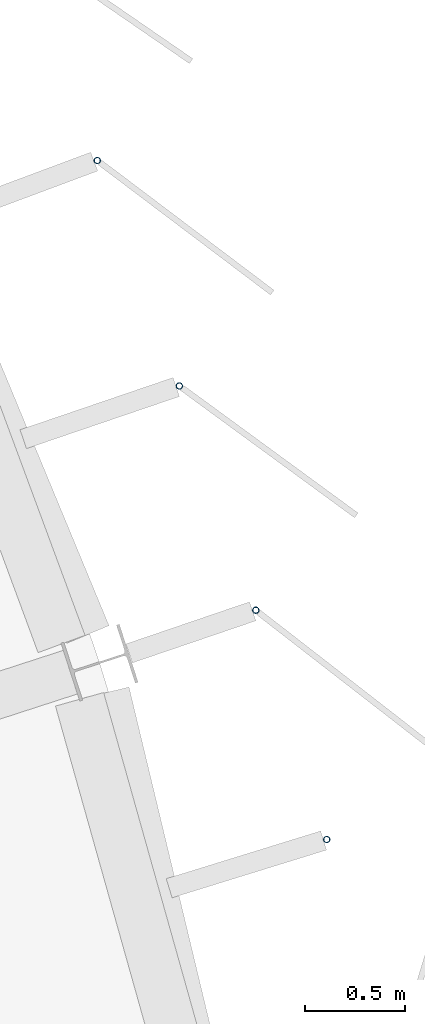
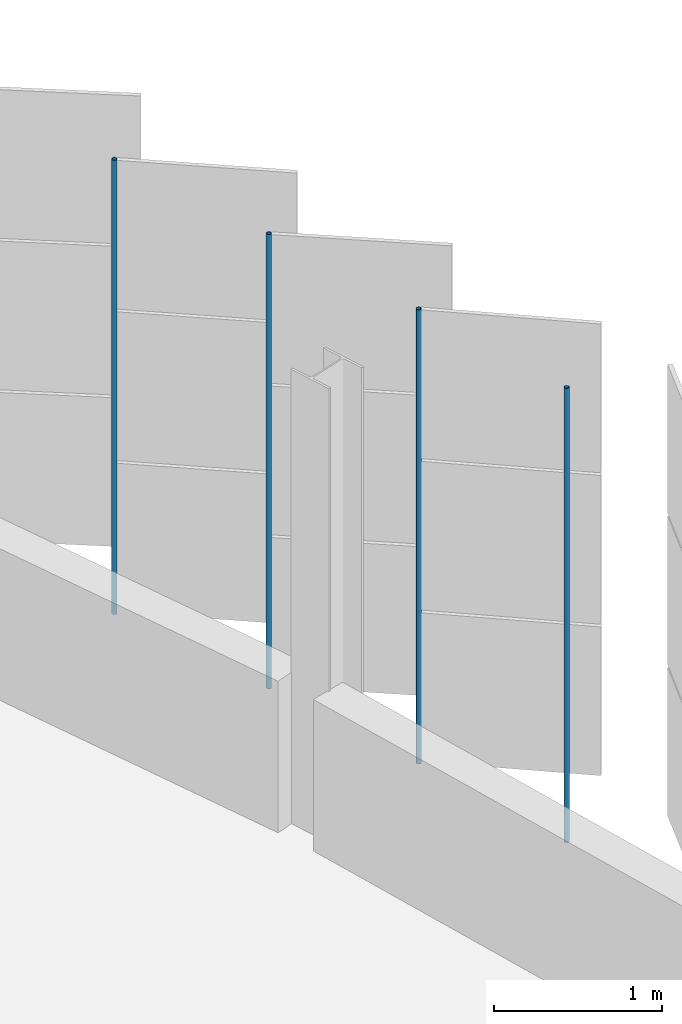
# One storey, part 123 of 199: 4 discrete accessories.
"""IFC4 building model written with IfcOpenShell, lengths in metres."""

from ifc_helpers import new_model, si_unit, direction, frame, origin, origin_2d, place, context, subcontext, project, spatial, hollow_circle, extrude, material, material_profile, profile_set, type_object, element, save


model = new_model("IFC4")

# Units and contexts
model_context = context("Model", 3, precision=1e-05, world=origin(), true_north=direction((0.0, 1.0)))
body_context = subcontext(model_context, "Body", "Model", "MODEL_VIEW")
ifc_project = project(units=[si_unit("LENGTHUNIT", "METRE"), si_unit("AREAUNIT", "SQUARE_METRE"), si_unit("VOLUMEUNIT", "CUBIC_METRE"), si_unit("PLANEANGLEUNIT", "RADIAN"), si_unit("MASSUNIT", "GRAM", prefix="KILO")], contexts=[model_context])

# Site, building, storey
site_placement = place(None, origin())
site = spatial("IfcSite", under=ifc_project, at=site_placement, CompositionType="ELEMENT")
building_placement = place(site_placement, origin())
building = spatial("IfcBuilding", under=site, at=building_placement, Name="Parallax Yard Mobility Hub", CompositionType="ELEMENT")
storey_placement = place(building_placement, frame((0.0, 0.0, 9.89990234375)))
storey = spatial("IfcBuildingStorey", under=building, at=storey_placement, Name="L03", CompositionType="ELEMENT", Elevation=9.89990234375)

# Discrete accessories
ifc_material = material(Name="Steel ASTM A500 Gr C, hot-dip galvanised", Category="steel")
ifc_material_profile = material_profile(ifc_material, hollow_circle(Radius=0.016845703125, WallThickness=0.003173828125, at=origin_2d()), Name="CHS 33.7x3.2")
ifc_profile_set = profile_set([ifc_material_profile], Name="Steel ASTM A500 Gr C, hot-dip galvanised")
discrete_accessory_type = type_object("IfcDiscreteAccessoryType", Name="Hinge post CHS 33.7x3.2", PredefinedType="BRACKET", material=ifc_profile_set)
for number, where, z_axis, x_axis, name in (
    (1, (223.566162109375, 105.33935546875, 0.0), (0.0, 0.0, 1.0), (1.0, 0.0, 0.0), "Hinge post bay 42.7 level L03"),
    (2, (223.21142578125, 106.485595703125, 0.0), (0.0, 0.0, 1.0), (1.0, 0.0, 0.0), "Hinge post bay 43.1 level L03"),
    (3, (222.829345703125, 107.60693359375, 0.0), (0.0, 0.0, 1.0), (1.0, 0.0, 0.0), "Hinge post bay 43.2 level L03"),
    (4, (222.4189453125, 108.734130859375, 0.0), (0.0, 0.0, 1.0), (1.0, 0.0, 0.0), "Hinge post bay 43.3 level L03"),
):
    element("IfcDiscreteAccessory", number, at=place(storey_placement, frame(where, z_axis=z_axis, x_axis=x_axis)), inside=storey, type_object=discrete_accessory_type, Name=name, PredefinedType="BRACKET", context=body_context, shape_type="SweptSolid", body=[
        extrude(hollow_circle(Radius=0.016845703125, WallThickness=0.003173828125, at=origin_2d()), origin(), (0.0, 0.0, 1.0), 3.300048828125),
    ])

save(model, "model.ifc")
